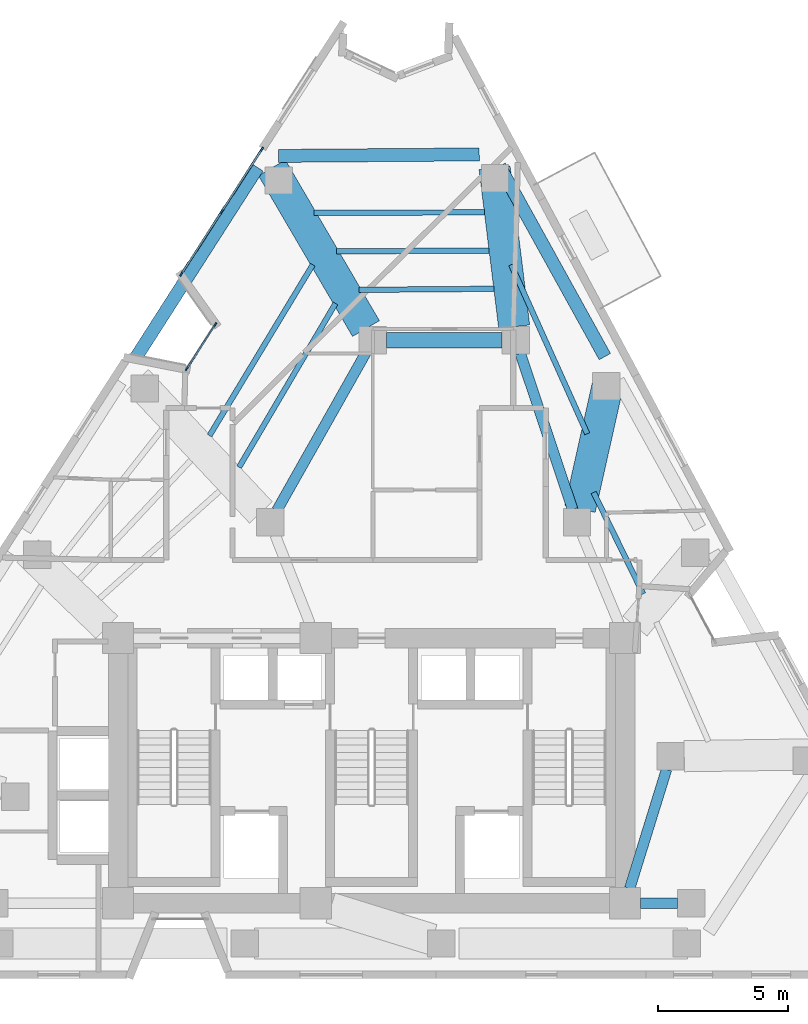
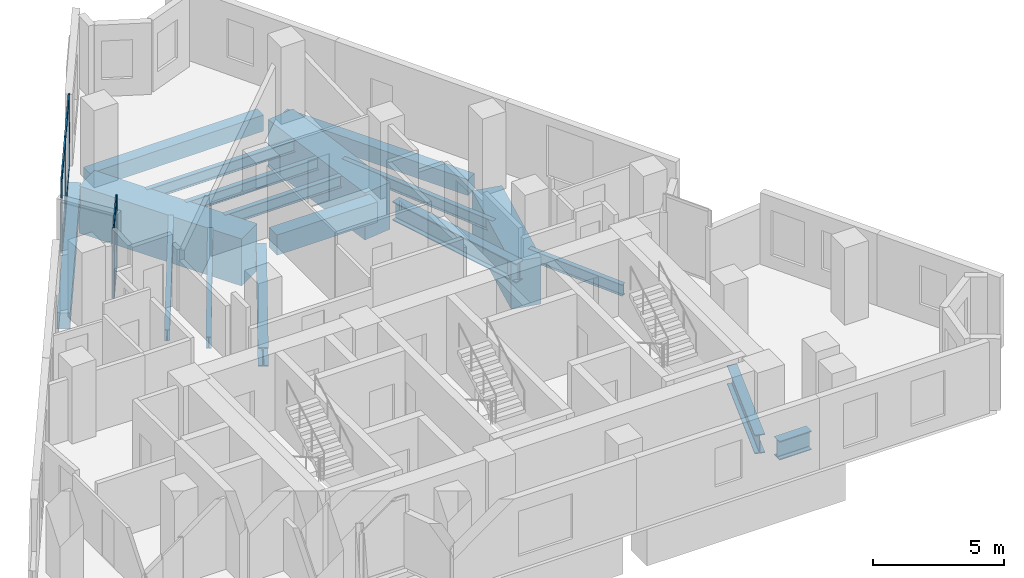
# One storey, part 4 of 11: 18 beams, 11 members, 2 elements without a shape of their own.
"""IFC4 building model written with IfcOpenShell, lengths in metres."""

import ifcopenshell
import ifcopenshell.guid

model = None  # the IFC model being written
_history = None  # IfcOwnerHistory: only IFC2X3 demands one
_inside = {}  # id of a spatial element -> (the spatial element, [elements in it])
_under = {}  # id of a project, library or spatial element -> (it, [spatial elements below it])
_declared = {}  # id of a project -> (the project, [libraries it declares])
_typed = {}  # id of a type object -> (the type object, [elements of that type])
_made_of = {}  # id of a material, layer set ... -> (it, [elements and type objects made of it])


def new_model(schema):
    """Start an empty IFC model of exactly this schema.

    Asked for "IFC4X3", IfcOpenShell would pick the latest addendum, in which some entities
    have other attributes; the version numbers below select the first issue.
    IFC2X3 requires an IfcOwnerHistory on every rooted entity: one is made here for all.
    """
    global model, _history
    if schema == "IFC4X3":
        model = ifcopenshell.file(schema_version=(4, 3, 0, 0))
    else:
        model = ifcopenshell.file(schema=schema)
    _inside.clear()
    _under.clear()
    _declared.clear()
    _typed.clear()
    _made_of.clear()
    _history = None
    if model.schema == "IFC2X3":
        org = make("IfcOrganization", Name="unknown")
        user = make(
            "IfcPersonAndOrganization",
            ThePerson=make("IfcPerson", FamilyName="unknown"),
            TheOrganization=org,
        )
        app = make(
            "IfcApplication",
            ApplicationDeveloper=org,
            Version="unknown",
            ApplicationFullName="unknown",
            ApplicationIdentifier="unknown",
        )
        _history = make(
            "IfcOwnerHistory",
            OwningUser=user,
            OwningApplication=app,
            ChangeAction="ADDED",
            CreationDate=0,
        )
    return model


def make(cls, **values):
    """One entity of the class cls with the attributes given. An attribute that is None is left unset."""
    return model.create_entity(
        cls, **{name: value for name, value in values.items() if value is not None}
    )


def rooted(cls, **values):
    """An entity with a GlobalId (a new one), such as an element, a storey or a relation."""
    return make(cls, GlobalId=ifcopenshell.guid.new(), OwnerHistory=_history, **values)


def si_unit(unit_type, name, prefix=None):
    """IfcSIUnit, for example si_unit("LENGTHUNIT", "METRE", prefix="MILLI")."""
    return make("IfcSIUnit", UnitType=unit_type, Prefix=prefix, Name=name)


def assignment(units):
    """IfcUnitAssignment: the units of a project."""
    return None if units is None else make("IfcUnitAssignment", Units=units)


def point(xyz):
    """IfcCartesianPoint."""
    return None if xyz is None else make("IfcCartesianPoint", Coordinates=xyz)


def direction(xyz):
    """IfcDirection."""
    return None if xyz is None else make("IfcDirection", DirectionRatios=xyz)


def frame(location, z_axis=None, x_axis=None):
    """IfcAxis2Placement3D, a coordinate frame: its origin and axes. An axis left out is left unset."""
    return make(
        "IfcAxis2Placement3D",
        Location=point(location),
        Axis=direction(z_axis),
        RefDirection=direction(x_axis),
    )


def frame_2d(location, x_axis=None):
    """IfcAxis2Placement2D, a coordinate frame in the plane: its origin and x axis."""
    return make(
        "IfcAxis2Placement2D", Location=point(location), RefDirection=direction(x_axis)
    )


def origin():
    """The frame at (0, 0, 0) with its axes left unset."""
    return frame((0.0, 0.0, 0.0))


def origin_2d():
    """The frame at (0, 0) in the plane with its x axis left unset."""
    return frame_2d((0.0, 0.0))


def place(relative_to, where):
    """IfcLocalPlacement: puts the frame where relative to a parent placement (None: the world)."""
    return make(
        "IfcLocalPlacement", PlacementRelTo=relative_to, RelativePlacement=where
    )


def context(
    kind, dimensions, precision=None, world=None, true_north=None, identifier=None
):
    """IfcGeometricRepresentationContext, for example the 3D "Model" context."""
    return make(
        "IfcGeometricRepresentationContext",
        ContextIdentifier=identifier,
        ContextType=kind,
        CoordinateSpaceDimension=dimensions,
        Precision=precision,
        WorldCoordinateSystem=world,
        TrueNorth=true_north,
    )


def subcontext(parent, identifier, kind, view, scale=None):
    """IfcGeometricRepresentationSubContext, for example "Body" below "Model"."""
    return make(
        "IfcGeometricRepresentationSubContext",
        ContextIdentifier=identifier,
        ContextType=kind,
        ParentContext=parent,
        TargetScale=scale,
        TargetView=view,
    )


def project(units=None, contexts=None):
    """IfcProject with its units and contexts."""
    return rooted(
        "IfcProject",
        Name="project",
        RepresentationContexts=contexts,
        UnitsInContext=assignment(units),
    )


def spatial(cls, under=None, at=None, **own):
    """A site, building, storey or space (cls), placed at a placement, below another one or the project."""
    s = rooted(cls, ObjectPlacement=at, **own)
    if under is not None:
        _under.setdefault(under.id(), (under, []))[1].append(s)
    return s


def profile(cls, at=None, kind="AREA", **sizes):
    """A parametric profile (cls). Its sizes go by their IFC names, for example OverallWidth=200.0."""
    return make(cls, ProfileType=kind, Position=at, **sizes)


def rectangle(**sizes):
    """IfcRectangleProfileDef."""
    return profile("IfcRectangleProfileDef", **sizes)


def i_section(**sizes):
    """IfcIShapeProfileDef."""
    return profile("IfcIShapeProfileDef", **sizes)


def extrude(swept, where, along, depth):
    """IfcExtrudedAreaSolid: the profile swept, set in the frame where, extruded along a direction by depth."""
    return make(
        "IfcExtrudedAreaSolid",
        SweptArea=swept,
        Position=where,
        ExtrudedDirection=direction(along),
        Depth=depth,
    )


def shape(context_of_items, identifier, shape_type, items):
    """IfcShapeRepresentation: the items that make up one representation, for example the "Body"."""
    return make(
        "IfcShapeRepresentation",
        ContextOfItems=context_of_items,
        RepresentationIdentifier=identifier,
        RepresentationType=shape_type,
        Items=items,
    )


def material(Name=None, Category=None):
    """IfcMaterial."""
    return make("IfcMaterial", Name=Name, Category=Category)


def layer(
    of_material, thickness, ventilated=None, Name=None, Category=None, Priority=None
):
    """IfcMaterialLayer: one layer of a wall or slab, of a material (None: an air gap)."""
    return make(
        "IfcMaterialLayer",
        Material=of_material,
        LayerThickness=thickness,
        IsVentilated=ventilated,
        Name=Name,
        Category=Category,
        Priority=Priority,
    )


def layer_set(layers, Name=None):
    """IfcMaterialLayerSet."""
    return make("IfcMaterialLayerSet", MaterialLayers=layers, LayerSetName=Name)


def material_profile(
    of_material, cross_section, Name=None, Category=None, Priority=None
):
    """IfcMaterialProfile: a cross section and its material."""
    return make(
        "IfcMaterialProfile",
        Name=Name,
        Material=of_material,
        Profile=cross_section,
        Priority=Priority,
        Category=Category,
    )


def profile_set(profiles, Name=None, composite=None):
    """IfcMaterialProfileSet."""
    return make(
        "IfcMaterialProfileSet",
        Name=Name,
        MaterialProfiles=profiles,
        CompositeProfile=composite,
    )


def made_of(thing, what):
    """Note that an element or type object is made of a material, layer set ...; save() writes the relation."""
    if what is not None:
        _made_of.setdefault(what.id(), (what, []))[1].append(thing)
    return thing


def type_object(cls, material=None, **own):
    """A type object (cls), such as IfcWallType, which elements share."""
    return made_of(rooted(cls, **own), material)


def element(
    cls,
    number,
    at=None,
    inside=None,
    cuts=None,
    type_object=None,
    material=None,
    context=None,
    identifier="Body",
    shape_type=None,
    held_by="IfcProductDefinitionShape",
    body=None,
    shapes=None,
    **own,
):
    """One element of the class cls, such as IfcWall. Its Tag is "e" and its number.

    at: its placement. inside: the storey or other place that contains it. cuts: it is an
    opening in that element (IfcRelVoidsElement). A single representation is given by context,
    identifier, shape_type and body (its items); several are given by shapes. held_by: the class
    of the entity that holds the representations. save() writes the other relations.
    """
    e = rooted(cls, Tag="e%d" % number, ObjectPlacement=at, **own)
    if body is not None:
        shapes = [shape(context, identifier, shape_type, body)]
    if shapes is not None:
        e.Representation = make(held_by, Representations=shapes)
    if inside is not None:
        _inside.setdefault(inside.id(), (inside, []))[1].append(e)
    if cuts is not None:
        rooted(
            "IfcRelVoidsElement", RelatingBuildingElement=cuts, RelatedOpeningElement=e
        )
    if type_object is not None:
        _typed.setdefault(type_object.id(), (type_object, []))[1].append(e)
    return made_of(e, material)


def aggregate(whole, parts):
    """IfcRelAggregates: a whole, such as a stair, and the parts it consists of."""
    return rooted("IfcRelAggregates", RelatingObject=whole, RelatedObjects=parts)


def save(model, path):
    """Write the relations noted so far, then the file.

    IfcRelAggregates (storeys below a building ...), IfcRelContainedInSpatialStructure (elements
    in a storey), IfcRelDefinesByType, IfcRelAssociatesMaterial and IfcRelDeclares: one each for
    every whole, place, type object, material and project.
    """
    for whole, parts in _under.values():
        aggregate(whole, parts)
    for where, things in _inside.values():
        rooted(
            "IfcRelContainedInSpatialStructure",
            RelatedElements=things,
            RelatingStructure=where,
        )
    for kind, things in _typed.values():
        rooted("IfcRelDefinesByType", RelatedObjects=things, RelatingType=kind)
    for what, things in _made_of.values():
        rooted("IfcRelAssociatesMaterial", RelatedObjects=things, RelatingMaterial=what)
    for by, libraries in _declared.values():
        rooted("IfcRelDeclares", RelatingContext=by, RelatedDefinitions=libraries)
    model.write(path)


model = new_model("IFC4")

# Units and contexts
model_context = context("Model", 3, precision=1e-05, world=origin(), true_north=direction((0.0, 1.0)))
body_context = subcontext(model_context, "Body", "Model", "MODEL_VIEW")
ifc_project = project(units=[si_unit("LENGTHUNIT", "METRE"), si_unit("AREAUNIT", "SQUARE_METRE"), si_unit("VOLUMEUNIT", "CUBIC_METRE"), si_unit("PLANEANGLEUNIT", "RADIAN"), si_unit("MASSUNIT", "GRAM", prefix="KILO")], contexts=[model_context])

# Site, building, storey
site_placement = place(None, origin())
site = spatial("IfcSite", under=ifc_project, at=site_placement, CompositionType="ELEMENT")
building_placement = place(site_placement, origin())
building = spatial("IfcBuilding", under=site, at=building_placement, Name="Almagre Mirador Tower", CompositionType="ELEMENT")
storey_placement = place(building_placement, frame((0.0, 0.0, 175.199951171875)))
storey = spatial("IfcBuildingStorey", under=building, at=storey_placement, Name="L45", CompositionType="ELEMENT", Elevation=175.199951171875)

# Beams
ifc_material_1 = material(Name="Steel ASTM A992 Grade 50", Category="steel")
ifc_material_profile_1 = material_profile(ifc_material_1, i_section(OverallWidth=0.208984375, OverallDepth=0.532958984375, WebThickness=0.01025390625, FlangeThickness=0.015625, FilletRadius=0.01806640625, at=origin_2d()), Name="W21X62")
ifc_profile_set_1 = profile_set([ifc_material_profile_1], Name="Steel ASTM A992 Grade 50")
beam_type_1 = type_object("IfcBeamType", Name="BM-JST-W21X62", PredefinedType="JOIST", material=ifc_profile_set_1)
beam_1_placement = place(storey_placement, frame((47.746826171875, 16.44873046875, -0.516357421875), z_axis=(-0.43916068223, 0.898408534679, 0.0), x_axis=(-0.898408534679, -0.43916068223, 0.0)))
element("IfcBeam", 1, at=beam_1_placement, inside=storey, type_object=beam_type_1, Name="L45 secondary floor joist PC06-PC07.3", PredefinedType="JOIST", context=body_context, shape_type="SweptSolid", body=[
    extrude(i_section(OverallWidth=0.208984375, OverallDepth=0.532958984375, WebThickness=0.01025390625, FlangeThickness=0.015625, FilletRadius=0.01806640625, at=origin_2d()), origin(), (0.0, 0.0, 1.0), 4.339111328125),
])
beam_2_placement = place(storey_placement, frame((45.594970703125, 22.606689453125, -0.516357421875), z_axis=(-0.410378915907, 0.911915097681, 0.0), x_axis=(-0.911915097681, -0.410378915907, 0.0)))
element("IfcBeam", 2, at=beam_2_placement, inside=storey, type_object=beam_type_1, Name="L45 secondary floor joist PC07-PC08.2", PredefinedType="JOIST", context=body_context, shape_type="SweptSolid", body=[
    extrude(i_section(OverallWidth=0.208984375, OverallDepth=0.532958984375, WebThickness=0.01025390625, FlangeThickness=0.015625, FilletRadius=0.01806640625, at=origin_2d()), origin(), (0.0, 0.0, 1.0), 7.12939453125),
])
beam_3_placement = place(storey_placement, frame((41.641845703125, 31.12109375, -0.516357421875), z_axis=(-0.999997424471, -0.002269592696, 0.0), x_axis=(0.002269592696, -0.999997424471, 0.0)))
element("IfcBeam", 3, at=beam_3_placement, inside=storey, type_object=beam_type_1, Name="L45 secondary floor joist PC08-PC09.1", PredefinedType="JOIST", context=body_context, shape_type="SweptSolid", body=[
    extrude(i_section(OverallWidth=0.208984375, OverallDepth=0.532958984375, WebThickness=0.01025390625, FlangeThickness=0.015625, FilletRadius=0.01806640625, at=origin_2d()), origin(), (0.0, 0.0, 1.0), 6.561767578125),
])
beam_4_placement = place(storey_placement, frame((41.822998046875, 29.65234375, -0.516357421875), z_axis=(-0.999988179537, -0.004862179155, 0.0), x_axis=(0.004862179155, -0.999988179537, 0.0)))
element("IfcBeam", 4, at=beam_4_placement, inside=storey, type_object=beam_type_1, Name="L45 secondary floor joist PC08-PC09.2", PredefinedType="JOIST", context=body_context, shape_type="SweptSolid", body=[
    extrude(i_section(OverallWidth=0.208984375, OverallDepth=0.532958984375, WebThickness=0.01025390625, FlangeThickness=0.015625, FilletRadius=0.01806640625, at=origin_2d()), origin(), (0.0, 0.0, 1.0), 5.874755859375),
])
beam_5_placement = place(storey_placement, frame((42.00439453125, 28.183349609375, -0.516357421875), z_axis=(-0.999967998524, -0.008000120464, 0.0), x_axis=(0.008000120464, -0.999967998524, 0.0)))
element("IfcBeam", 5, at=beam_5_placement, inside=storey, type_object=beam_type_1, Name="L45 secondary floor joist PC08-PC09.3", PredefinedType="JOIST", context=body_context, shape_type="SweptSolid", body=[
    extrude(i_section(OverallWidth=0.208984375, OverallDepth=0.532958984375, WebThickness=0.01025390625, FlangeThickness=0.015625, FilletRadius=0.01806640625, at=origin_2d()), origin(), (0.0, 0.0, 1.0), 5.18798828125),
])
beam_6_placement = place(storey_placement, frame((35.0380859375, 29.107421875, -0.516357421875), z_axis=(-0.517252004236, -0.855833140346, 0.0), x_axis=(0.855833140346, -0.517252004236, 0.0)))
element("IfcBeam", 6, at=beam_6_placement, inside=storey, type_object=beam_type_1, Name="L45 secondary floor joist PC09-PC10.2", PredefinedType="JOIST", context=body_context, shape_type="SweptSolid", body=[
    extrude(i_section(OverallWidth=0.208984375, OverallDepth=0.532958984375, WebThickness=0.01025390625, FlangeThickness=0.015625, FilletRadius=0.01806640625, at=origin_2d()), origin(), (0.0, 0.0, 1.0), 7.677978515625),
])
beam_7_placement = place(storey_placement, frame((35.912109375, 27.619873046875, -0.516357421875), z_axis=(-0.507347007083, -0.86174184905, 0.0), x_axis=(0.86174184905, -0.507347007083, 0.0)))
element("IfcBeam", 7, at=beam_7_placement, inside=storey, type_object=beam_type_1, Name="L45 secondary floor joist PC09-PC10.3", PredefinedType="JOIST", context=body_context, shape_type="SweptSolid", body=[
    extrude(i_section(OverallWidth=0.208984375, OverallDepth=0.532958984375, WebThickness=0.01025390625, FlangeThickness=0.015625, FilletRadius=0.01806640625, at=origin_2d()), origin(), (0.0, 0.0, 1.0), 7.310546875),
])
ifc_material_2 = material(Name="Concrete C60/75", Category="concrete")
ifc_material_profile_2 = material_profile(ifc_material_2, rectangle(XDim=0.60009765625, YDim=0.949951171875, at=origin_2d()), Name="RC600X950")
ifc_profile_set_2 = profile_set([ifc_material_profile_2], Name="Concrete C60/75")
beam_type_2 = type_object("IfcBeamType", Name="BM-LIN-RC600X950", PredefinedType="LINTEL", material=ifc_profile_set_2)
beam_8_placement = place(storey_placement, frame((37.875, 26.199951171875, -0.724853515625), z_axis=(1.0, 0.0, 0.0), x_axis=(0.0, 1.0, 0.0)))
element("IfcBeam", 8, at=beam_8_placement, inside=storey, type_object=beam_type_2, Name="L45 coupled header lintel LN-01", PredefinedType="LINTEL", context=body_context, shape_type="SweptSolid", body=[
    extrude(rectangle(XDim=0.60009765625, YDim=0.949951171875, at=origin_2d()), origin(), (0.0, 0.0, 1.0), 4.449951171875),
])
ifc_material_3 = material(Name="Precast concrete C50/60", Category="concrete")
ifc_material_profile_3 = material_profile(ifc_material_3, rectangle(XDim=0.5, YDim=0.75, at=origin_2d()), Name="RC500X750")
ifc_profile_set_3 = profile_set([ifc_material_profile_3], Name="Precast concrete C50/60")
beam_type_3 = type_object("IfcBeamType", Name="BM-SPN-RC500X750", PredefinedType="SPANDREL", material=ifc_profile_set_3)
beam_9_placement = place(storey_placement, frame((46.271728515625, 25.574462890625, -0.625), z_axis=(-0.484205406649, 0.874954355479, 0.0), x_axis=(-0.874954355479, -0.484205406649, 0.0)))
element("IfcBeam", 9, at=beam_9_placement, inside=storey, type_object=beam_type_3, Name="L45 perimeter spandrel beam PC07-PC08", PredefinedType="SPANDREL", context=body_context, shape_type="SweptSolid", body=[
    extrude(rectangle(XDim=0.5, YDim=0.75, at=origin_2d()), origin(), (0.0, 0.0, 1.0), 8.367431640625),
])
beam_10_placement = place(storey_placement, frame((41.44091796875, 33.35107421875, -0.625), z_axis=(-0.999971631183, -0.007532385372, 0.0), x_axis=(0.007532385372, -0.999971631183, 0.0)))
element("IfcBeam", 10, at=beam_10_placement, inside=storey, type_object=beam_type_3, Name="L45 perimeter spandrel beam PC08-PC09", PredefinedType="SPANDREL", context=body_context, shape_type="SweptSolid", body=[
    extrude(rectangle(XDim=0.5, YDim=0.75, at=origin_2d()), origin(), (0.0, 0.0, 1.0), 7.714111328125),
])
beam_11_placement = place(storey_placement, frame((32.918701171875, 32.846923828125, -0.625), z_axis=(-0.539525433851, -0.841969302426, 0.0), x_axis=(0.841969302426, -0.539525433851, 0.0)))
element("IfcBeam", 11, at=beam_11_placement, inside=storey, type_object=beam_type_3, Name="L45 perimeter spandrel beam PC09-PC10", PredefinedType="SPANDREL", context=body_context, shape_type="SweptSolid", body=[
    extrude(rectangle(XDim=0.5, YDim=0.75, at=origin_2d()), origin(), (0.0, 0.0, 1.0), 8.736572265625),
])
ifc_material_4 = material(Name="Steel ASTM A992 Grade 50", Category="steel")
ifc_material_profile_4 = material_profile(ifc_material_4, i_section(OverallWidth=0.404052734375, OverallDepth=0.884033203125, WebThickness=0.0244140625, FlangeThickness=0.0439453125, FilletRadius=0.02490234375, at=origin_2d()), Name="W33X291")
ifc_profile_set_4 = profile_set([ifc_material_profile_4], Name="Steel ASTM A992 Grade 50")
beam_type_4 = type_object("IfcBeamType", Name="BM-STL-W33X291", PredefinedType="BEAM", material=ifc_profile_set_4)
beam_12_placement = place(storey_placement, frame((49.074951171875, 4.550048828125, -0.69189453125), z_axis=(-1.0, 0.0, 0.0), x_axis=(0.0, -1.0, 0.0)))
element("IfcBeam", 12, at=beam_12_placement, inside=storey, type_object=beam_type_4, Name="L45 core tie girder MC2-CC3", PredefinedType="BEAM", context=body_context, shape_type="SweptSolid", body=[
    extrude(i_section(OverallWidth=0.404052734375, OverallDepth=0.884033203125, WebThickness=0.0244140625, FlangeThickness=0.0439453125, FilletRadius=0.02490234375, at=origin_2d()), origin(), (0.0, 0.0, 1.0), 1.425048828125),
])
beam_13_placement = place(storey_placement, frame((48.644775390625, 9.698486328125, -0.69189453125), z_axis=(-0.295879743348, -0.955225197258, 0.0), x_axis=(0.955225197258, -0.295879743348, 0.0)))
element("IfcBeam", 13, at=beam_13_placement, inside=storey, type_object=beam_type_4, Name="L45 core tie girder MC3-CC3", PredefinedType="BEAM", context=body_context, shape_type="SweptSolid", body=[
    extrude(i_section(OverallWidth=0.404052734375, OverallDepth=0.884033203125, WebThickness=0.0244140625, FlangeThickness=0.0439453125, FilletRadius=0.02490234375, at=origin_2d()), origin(), (0.0, 0.0, 1.0), 4.789794921875),
])
beam_14_placement = place(storey_placement, frame((43.01708984375, 25.702392578125, -0.69189453125), z_axis=(0.318262189587, -0.948002731367, 0.0), x_axis=(0.948002731367, 0.318262189587, 0.0)))
element("IfcBeam", 14, at=beam_14_placement, inside=storey, type_object=beam_type_4, Name="L45 core tie girder MC6-MC5", PredefinedType="BEAM", context=body_context, shape_type="SweptSolid", body=[
    extrude(i_section(OverallWidth=0.404052734375, OverallDepth=0.884033203125, WebThickness=0.0244140625, FlangeThickness=0.0439453125, FilletRadius=0.02490234375, at=origin_2d()), origin(), (0.0, 0.0, 1.0), 6.333984375),
])
beam_15_placement = place(storey_placement, frame((37.092041015625, 25.742919921875, -0.69189453125), z_axis=(-0.491443510044, -0.870909453638, 0.0), x_axis=(0.870909453638, -0.491443510044, 0.0)))
element("IfcBeam", 15, at=beam_15_placement, inside=storey, type_object=beam_type_4, Name="L45 core tie girder MC7-MC8", PredefinedType="BEAM", context=body_context, shape_type="SweptSolid", body=[
    extrude(i_section(OverallWidth=0.404052734375, OverallDepth=0.884033203125, WebThickness=0.0244140625, FlangeThickness=0.0439453125, FilletRadius=0.02490234375, at=origin_2d()), origin(), (0.0, 0.0, 1.0), 6.98779296875),
])
ifc_material_5 = material(Name="Concrete C60/75", Category="concrete")
ifc_material_profile_5 = material_profile(ifc_material_5, rectangle(XDim=1.199951171875, YDim=2.199951171875, at=origin_2d()), Name="RC1200X2200")
ifc_profile_set_5 = profile_set([ifc_material_profile_5], Name="Concrete C60/75")
beam_type_5 = type_object("IfcBeamType", Name="BM-XFER-RC1200X2200", PredefinedType="BEAM", material=ifc_profile_set_5)
beam_16_placement = place(storey_placement, frame((46.4111328125, 24.602783203125, -1.349853515625), z_axis=(-0.21877143467, -0.975776131791, 0.0), x_axis=(0.975776131791, -0.21877143467, 0.0)))
element("IfcBeam", 16, at=beam_16_placement, inside=storey, type_object=beam_type_5, Name="L45 radial transfer girder PC07-MC5", PredefinedType="BEAM", context=body_context, shape_type="SweptSolid", body=[
    extrude(rectangle(XDim=1.199951171875, YDim=2.199951171875, at=origin_2d()), origin(), (0.0, 0.0, 1.0), 5.01171875),
])
beam_17_placement = place(storey_placement, frame((42.030517578125, 32.833984375, -1.349853515625), z_axis=(0.122595496619, -0.99245672158, 0.0), x_axis=(0.99245672158, 0.122595496619, 0.0)))
element("IfcBeam", 17, at=beam_17_placement, inside=storey, type_object=beam_type_5, Name="L45 radial transfer girder PC08-MC6", PredefinedType="BEAM", context=body_context, shape_type="SweptSolid", body=[
    extrude(rectangle(XDim=1.199951171875, YDim=2.199951171875, at=origin_2d()), origin(), (0.0, 0.0, 1.0), 6.159423828125),
])
beam_18_placement = place(storey_placement, frame((33.467041015625, 32.8359375, -1.349853515625), z_axis=(0.50504237399, -0.863094548977, 0.0), x_axis=(0.863094548977, 0.50504237399, 0.0)))
element("IfcBeam", 18, at=beam_18_placement, inside=storey, type_object=beam_type_5, Name="L45 radial transfer girder PC09-MC7", PredefinedType="BEAM", context=body_context, shape_type="SweptSolid", body=[
    extrude(rectangle(XDim=1.199951171875, YDim=2.199951171875, at=origin_2d()), origin(), (0.0, 0.0, 1.0), 7.16357421875),
])

# Curtain wall, members
ifc_material_6 = material(Name="Black anodized aluminium", Category="aluminium")
ifc_layer_1 = layer(ifc_material_6, 0.169921875)
ifc_layer_set_1 = layer_set([ifc_layer_1], Name="Black anodized aluminium")
curtain_wall_type_1 = type_object("IfcCurtainWallType", Name="CW-CRS-SYS", PredefinedType="NOTDEFINED", material=ifc_layer_set_1)
curtain_wall_1_placement = place(storey_placement, origin())
curtain_wall_1 = element("IfcCurtainWall", 19, at=curtain_wall_1_placement, inside=storey, type_object=curtain_wall_type_1, Name="L45 vertical crease curtain wall 01", PredefinedType="NOTDEFINED")
ifc_material_7 = material(Name="Black anodized aluminium", Category="aluminium")
ifc_material_profile_6 = material_profile(ifc_material_7, rectangle(XDim=0.06005859375, YDim=0.14990234375, at=origin_2d()), Name="CWM60X150")
ifc_profile_set_6 = profile_set([ifc_material_profile_6], Name="Black anodized aluminium")
member_type_1 = type_object("IfcMemberType", Name="MBR-CWM60X150", PredefinedType="MULLION", material=ifc_profile_set_6)
member_1_placement = place(storey_placement, frame((30.191162109375, 25.106201171875, 0.0), z_axis=(0.0, 0.0, 1.0), x_axis=(-0.840493535426, 0.541821572943, 0.0)))
member_1 = element("IfcMember", 20, at=member_1_placement, type_object=member_type_1, Name="CW-4 mullion 1", PredefinedType="MULLION", context=body_context, shape_type="SweptSolid", body=[
    extrude(rectangle(XDim=0.06005859375, YDim=0.14990234375, at=origin_2d()), origin(), (0.0, 0.0, 1.0), 3.35009765625),
])
member_2_placement = place(storey_placement, frame((31.290771484375, 26.811767578125, 0.0), z_axis=(0.0, 0.0, 1.0), x_axis=(-0.840493535426, 0.541821572943, 0.0)))
member_2 = element("IfcMember", 21, at=member_2_placement, type_object=member_type_1, Name="CW-4 mullion 2", PredefinedType="MULLION", context=body_context, shape_type="SweptSolid", body=[
    extrude(rectangle(XDim=0.06005859375, YDim=0.14990234375, at=origin_2d()), origin(), (0.0, 0.0, 1.0), 3.35009765625),
])

ifc_material_8 = material(Name="Black anodized aluminium", Category="aluminium")
ifc_layer_2 = layer(ifc_material_8, 0.199951171875)
ifc_layer_set_2 = layer_set([ifc_layer_2], Name="Black anodized aluminium")
curtain_wall_type_2 = type_object("IfcCurtainWallType", Name="CW-RES-H-SYS", PredefinedType="NOTDEFINED", material=ifc_layer_set_2)
curtain_wall_2_placement = place(storey_placement, origin())
curtain_wall_2 = element("IfcCurtainWall", 22, at=curtain_wall_2_placement, inside=storey, type_object=curtain_wall_type_2, Name="L45 curtain wall run 02", PredefinedType="NOTDEFINED")
ifc_material_9 = material(Name="Black anodized aluminium", Category="aluminium")
ifc_material_profile_7 = material_profile(ifc_material_9, rectangle(XDim=0.06494140625, YDim=0.179931640625, at=origin_2d()), Name="CWM65X180")
ifc_profile_set_7 = profile_set([ifc_material_profile_7], Name="Black anodized aluminium")
member_type_2 = type_object("IfcMemberType", Name="MBR-CWM65X180", PredefinedType="MULLION", material=ifc_profile_set_7)
member_3_placement = place(storey_placement, frame((29.981689453125, 28.748291015625, 0.0), z_axis=(0.0, 0.0, 1.0), x_axis=(-0.840362721229, 0.542024442963, 0.0)))
member_3 = element("IfcMember", 23, at=member_3_placement, type_object=member_type_2, Name="CW-3 mullion 1", PredefinedType="MULLION", context=body_context, shape_type="SweptSolid", body=[
    extrude(rectangle(XDim=0.06494140625, YDim=0.179931640625, at=origin_2d()), origin(), (0.0, 0.0, 1.0), 3.35009765625),
])
member_4_placement = place(storey_placement, frame((31.531005859375, 31.150390625, 0.0), z_axis=(0.0, 0.0, 1.0), x_axis=(-0.840362721229, 0.542024442963, 0.0)))
member_4 = element("IfcMember", 24, at=member_4_placement, type_object=member_type_2, Name="CW-3 mullion 2", PredefinedType="MULLION", context=body_context, shape_type="SweptSolid", body=[
    extrude(rectangle(XDim=0.06494140625, YDim=0.179931640625, at=origin_2d()), origin(), (0.0, 0.0, 1.0), 3.35009765625),
])
member_5_placement = place(storey_placement, frame((33.080322265625, 33.552734375, 0.0), z_axis=(0.0, 0.0, 1.0), x_axis=(-0.840362721229, 0.542024442963, 0.0)))
member_5 = element("IfcMember", 25, at=member_5_placement, type_object=member_type_2, Name="CW-3 mullion 3", PredefinedType="MULLION", context=body_context, shape_type="SweptSolid", body=[
    extrude(rectangle(XDim=0.06494140625, YDim=0.179931640625, at=origin_2d()), origin(), (0.0, 0.0, 1.0), 3.35009765625),
])

# Member
ifc_material_10 = material(Name="Black anodized aluminium", Category="aluminium")
ifc_material_profile_8 = material_profile(ifc_material_10, rectangle(XDim=0.06005859375, YDim=0.1298828125, at=origin_2d()), Name="CWT60X130")
ifc_profile_set_8 = profile_set([ifc_material_profile_8], Name="Black anodized aluminium")
member_type_3 = type_object("IfcMemberType", Name="MBR-CWT60X130", PredefinedType="USERDEFINED", material=ifc_profile_set_8)
member_6_placement = place(storey_placement, frame((30.20751953125, 25.13134765625, 0.030029296875), z_axis=(0.541759728388, 0.840533400108, 0.0), x_axis=(-0.840533400108, 0.541759728388, 0.0)))
member_6 = element("IfcMember", 26, at=member_6_placement, type_object=member_type_3, Name="CW-4 transom 1.1", ObjectType="TRANSOM", PredefinedType="USERDEFINED", context=body_context, shape_type="SweptSolid", body=[
    extrude(rectangle(XDim=0.06005859375, YDim=0.1298828125, at=origin_2d()), origin(), (0.0, 0.0, 1.0), 1.96923828125),
])

member_7_placement = place(storey_placement, frame((30.20751953125, 25.13134765625, 3.320068359375), z_axis=(0.541759728388, 0.840533400108, 0.0), x_axis=(-0.840533400108, 0.541759728388, 0.0)))
member_7 = element("IfcMember", 27, at=member_7_placement, type_object=member_type_3, Name="CW-4 transom 1.2", ObjectType="TRANSOM", PredefinedType="USERDEFINED", context=body_context, shape_type="SweptSolid", body=[
    extrude(rectangle(XDim=0.06005859375, YDim=0.1298828125, at=origin_2d()), origin(), (0.0, 0.0, 1.0), 1.96923828125),
])

aggregate(curtain_wall_1, [member_1, member_2, member_6, member_7])

ifc_material_11 = material(Name="Black anodized aluminium", Category="aluminium")
ifc_material_profile_9 = material_profile(ifc_material_11, rectangle(XDim=0.06494140625, YDim=0.14990234375, at=origin_2d()), Name="CWT65X150")
ifc_profile_set_9 = profile_set([ifc_material_profile_9], Name="Black anodized aluminium")
member_type_4 = type_object("IfcMemberType", Name="MBR-CWT65X150", PredefinedType="USERDEFINED", material=ifc_profile_set_9)
member_8_placement = place(storey_placement, frame((29.999267578125, 28.775634765625, 0.032470703125), z_axis=(0.542011410905, 0.840371126615, 0.0), x_axis=(-0.840371126615, 0.542011410905, 0.0)))
member_8 = element("IfcMember", 28, at=member_8_placement, type_object=member_type_4, Name="CW-3 transom 1.1", ObjectType="TRANSOM", PredefinedType="USERDEFINED", context=body_context, shape_type="SweptSolid", body=[
    extrude(rectangle(XDim=0.06494140625, YDim=0.14990234375, at=origin_2d()), origin(), (0.0, 0.0, 1.0), 2.793701171875),
])

member_9_placement = place(storey_placement, frame((29.999267578125, 28.775634765625, 3.317626953125), z_axis=(0.542011410905, 0.840371126615, 0.0), x_axis=(-0.840371126615, 0.542011410905, 0.0)))
member_9 = element("IfcMember", 29, at=member_9_placement, type_object=member_type_4, Name="CW-3 transom 1.2", ObjectType="TRANSOM", PredefinedType="USERDEFINED", context=body_context, shape_type="SweptSolid", body=[
    extrude(rectangle(XDim=0.06494140625, YDim=0.14990234375, at=origin_2d()), origin(), (0.0, 0.0, 1.0), 2.793701171875),
])

member_10_placement = place(storey_placement, frame((31.548583984375, 31.177734375, 0.032470703125), z_axis=(0.542011410905, 0.840371126615, 0.0), x_axis=(-0.840371126615, 0.542011410905, 0.0)))
member_10 = element("IfcMember", 30, at=member_10_placement, type_object=member_type_4, Name="CW-3 transom 2.1", ObjectType="TRANSOM", PredefinedType="USERDEFINED", context=body_context, shape_type="SweptSolid", body=[
    extrude(rectangle(XDim=0.06494140625, YDim=0.14990234375, at=origin_2d()), origin(), (0.0, 0.0, 1.0), 2.793701171875),
])

member_11_placement = place(storey_placement, frame((31.548583984375, 31.177734375, 3.317626953125), z_axis=(0.542011410905, 0.840371126615, 0.0), x_axis=(-0.840371126615, 0.542011410905, 0.0)))
member_11 = element("IfcMember", 31, at=member_11_placement, type_object=member_type_4, Name="CW-3 transom 2.2", ObjectType="TRANSOM", PredefinedType="USERDEFINED", context=body_context, shape_type="SweptSolid", body=[
    extrude(rectangle(XDim=0.06494140625, YDim=0.14990234375, at=origin_2d()), origin(), (0.0, 0.0, 1.0), 2.793701171875),
])

aggregate(curtain_wall_2, [member_3, member_4, member_5, member_8, member_9, member_10, member_11])

save(model, "model.ifc")
